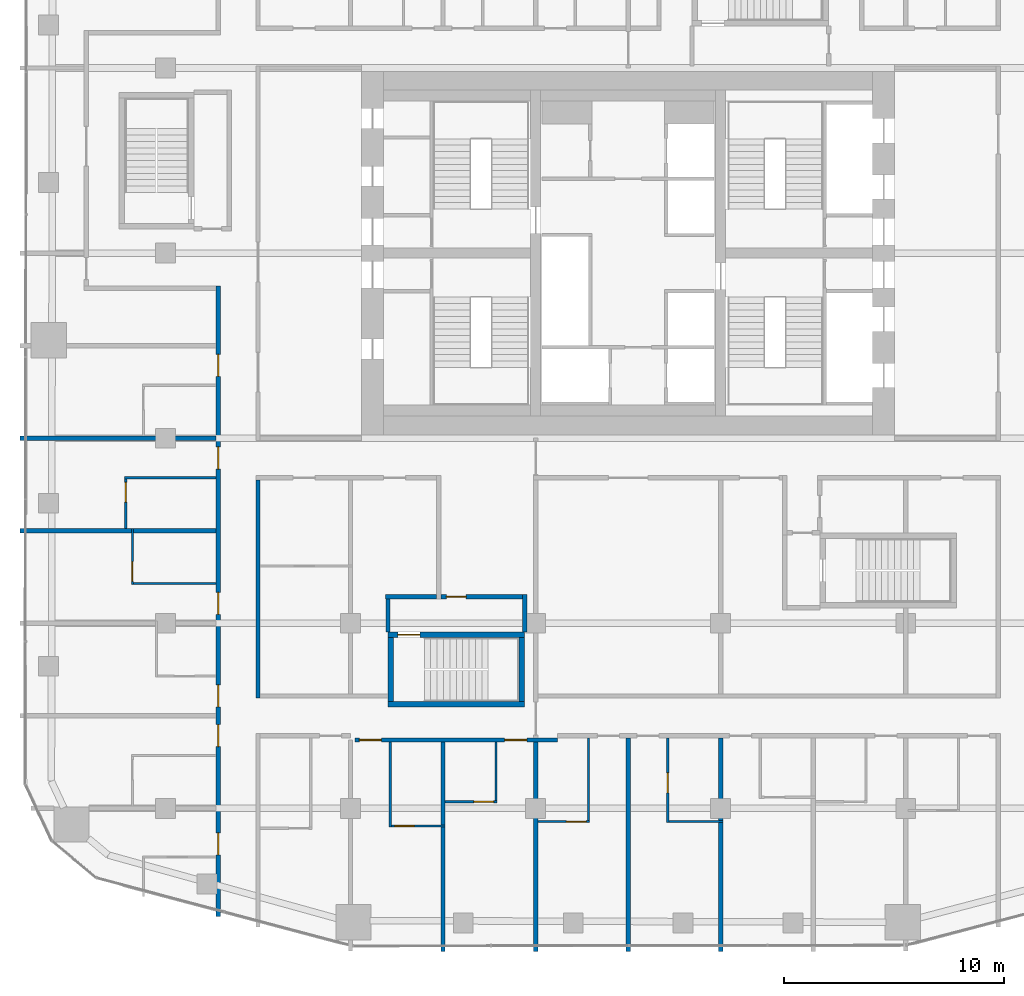
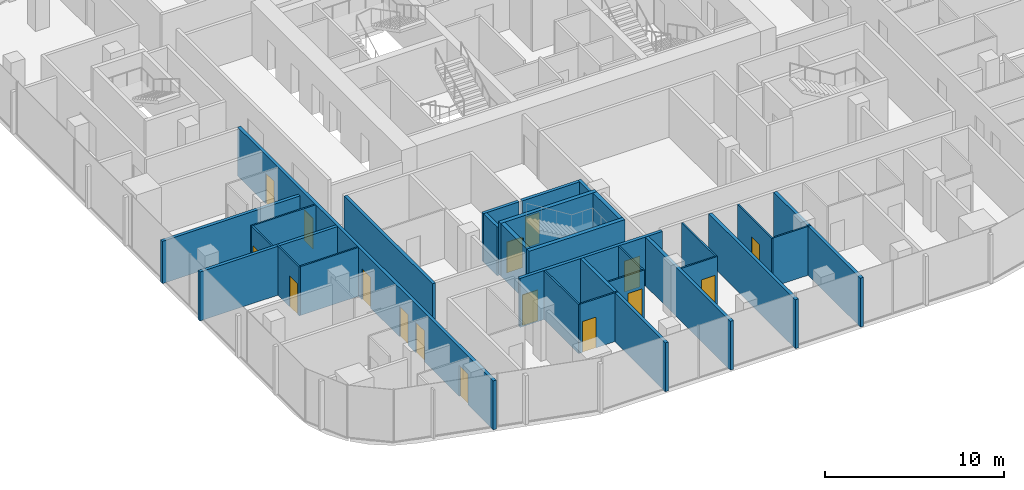
# One storey, part 14 of 23: 29 walls, 16 doors, 16 openings.
"""IFC4 building model written with IfcOpenShell, lengths in metres."""

from ifc_helpers import new_model, si_unit, direction, frame, frame_2d, origin, place, context, subcontext, project, spatial, rectangle, extrude, material, layer, layer_set, type_object, element, fill, save


model = new_model("IFC4")

# Units and contexts
model_context = context("Model", 3, precision=1e-05, world=origin(), true_north=direction((0.0, 1.0)))
body_context = subcontext(model_context, "Body", "Model", "MODEL_VIEW")
ifc_project = project(units=[si_unit("LENGTHUNIT", "METRE"), si_unit("AREAUNIT", "SQUARE_METRE"), si_unit("VOLUMEUNIT", "CUBIC_METRE"), si_unit("PLANEANGLEUNIT", "RADIAN"), si_unit("MASSUNIT", "GRAM", prefix="KILO")], contexts=[model_context])

# Site, building, storey
site_placement = place(None, origin())
site = spatial("IfcSite", under=ifc_project, at=site_placement, CompositionType="ELEMENT")
building_placement = place(site_placement, origin())
building = spatial("IfcBuilding", under=site, at=building_placement, Name="Marenta Gate Hotel Tower", CompositionType="ELEMENT")
storey_placement = place(building_placement, frame((0.0, 0.0, 104.89990234375)))
storey = spatial("IfcBuildingStorey", under=building, at=storey_placement, Name="L22", CompositionType="ELEMENT", Elevation=104.89990234375)

# Walls
ifc_material_1 = material(Name="Concrete blockwork", Category="masonry")
ifc_layer_1 = layer(ifc_material_1, 0.199951171875)
ifc_layer_set_1 = layer_set([ifc_layer_1], Name="Concrete blockwork")
wall_type_1 = type_object("IfcWallType", Name="Compartment wall 200 REI 180", PredefinedType="PARTITIONING", material=ifc_layer_set_1)
wall_1_placement = place(storey_placement, frame((-4.199951171875, -23.300048828125, 0.0), z_axis=(0.0, 0.0, 1.0), x_axis=(0.0, 1.0, 0.0)))
element("IfcWall", 1, at=wall_1_placement, inside=storey, type_object=wall_type_1, Name="L22-PTN-W078", PredefinedType="PARTITIONING", context=body_context, shape_type="SweptSolid", body=[
    extrude(rectangle(XDim=9.5, YDim=0.199951171875, at=frame_2d((4.75, 0.0))), origin(), (0.0, 0.0, 1.0), 3.340087890625),
])
ifc_material_2 = material(Name="Concrete C40", Category="concrete")
ifc_layer_2 = layer(ifc_material_2, 0.25)
ifc_layer_set_2 = layer_set([ifc_layer_2], Name="Concrete C40")
wall_type_2 = type_object("IfcWallType", Name="Remote stair enclosure wall 250 REI 180", PredefinedType="SHEAR", material=ifc_layer_set_2)
wall_2_placement = place(storey_placement, frame((-10.89990234375, -12.074951171875, 0.10009765625), z_axis=(0.0, 0.0, 1.0), x_axis=(1.0, 0.0, 0.0)))
element("IfcWall", 2, at=wall_2_placement, inside=storey, type_object=wall_type_2, Name="L22-RS-Z2-1-W1", PredefinedType="SHEAR", context=body_context, shape_type="SweptSolid", body=[
    extrude(rectangle(XDim=6.199951171875, YDim=0.25, at=frame_2d((3.10009765625, 0.0))), origin(), (0.0, 0.0, 1.0), 3.60009765625),
])

# Wall, opening, door
wall_3_placement = place(storey_placement, frame((-10.89990234375, -8.925048828125, 0.10009765625), z_axis=(0.0, 0.0, 1.0), x_axis=(1.0, 0.0, 0.0)))
wall_3 = element("IfcWall", 3, at=wall_3_placement, inside=storey, type_object=wall_type_2, Name="L22-RS-Z2-1-W2", PredefinedType="SHEAR", context=body_context, shape_type="SweptSolid", body=[
    extrude(rectangle(XDim=6.199951171875, YDim=0.25, at=frame_2d((3.10009765625, 0.0))), origin(), (0.0, 0.0, 1.0), 3.60009765625),
])
opening_1_placement = place(wall_3_placement, frame((0.449951171875, 0.0, 0.0)))
opening_1 = element("IfcOpeningElement", 4, at=opening_1_placement, cuts=wall_3, Name="Opening VD", PredefinedType="OPENING", context=body_context, shape_type="SweptSolid", body=[
    extrude(rectangle(XDim=1.0, YDim=2.10009765625, at=frame_2d((0.5, 1.050048828125))), frame((0.0, 0.125, 0.0), z_axis=(0.0, -1.0, 0.0), x_axis=(1.0, 0.0, 0.0)), (0.0, 0.0, 1.0), 0.25),
])
ifc_material_3 = material(Name="Steel", Category="steel")
door_type_1 = type_object("IfcDoorType", Name="Stair vestibule door 1000x2100 FD60", OperationType="SINGLE_SWING_LEFT", PredefinedType="DOOR", material=ifc_material_3)
door_1_placement = place(opening_1_placement, origin())
door_1 = element("IfcDoor", 5, at=door_1_placement, inside=storey, type_object=door_type_1, Name="VD", OperationType="SINGLE_SWING_LEFT", OverallHeight=2.10009765625, OverallWidth=1.0, PredefinedType="DOOR", context=body_context, shape_type="SweptSolid", body=[
    extrude(rectangle(XDim=1.0, YDim=2.10009765625, at=frame_2d((0.5, 1.050048828125))), frame((0.0, 0.02490234375, 0.0), z_axis=(0.0, -1.0, 0.0), x_axis=(1.0, 0.0, 0.0)), (0.0, 0.0, 1.0), 0.050048828125),
])
fill(opening_1, door_1)

# Walls
for number, where, z_axis, x_axis, name in (
    (6, (-10.77490234375, -11.949951171875, 0.10009765625), (0.0, 0.0, 1.0), (0.0, 1.0, 0.0), "L22-RS-Z2-1-W3"),
    (7, (-4.824951171875, -11.949951171875, 0.10009765625), (0.0, 0.0, 1.0), (0.0, 1.0, 0.0), "L22-RS-Z2-1-W4"),
):
    element("IfcWall", number, at=place(storey_placement, frame(where, z_axis=z_axis, x_axis=x_axis)), inside=storey, type_object=wall_type_2, Name=name, PredefinedType="SHEAR", context=body_context, shape_type="SweptSolid", body=[
        extrude(rectangle(XDim=2.89990234375, YDim=0.25, at=frame_2d((1.449951171875, 0.0))), origin(), (0.0, 0.0, 1.0), 3.60009765625),
    ])

# Wall, openings, doors
ifc_material_4 = material(Name="Gypsum board on steel stud", Category="steel")
ifc_layer_3 = layer(ifc_material_4, 0.199951171875)
ifc_layer_set_3 = layer_set([ifc_layer_3], Name="Gypsum board on steel stud")
wall_type_3 = type_object("IfcWallType", Name="Room corridor wall 200 EI 60", PredefinedType="PARTITIONING", material=ifc_layer_set_3)
wall_4_placement = place(storey_placement, frame((-12.39990234375, -13.699951171875, 0.0), z_axis=(0.0, 0.0, 1.0), x_axis=(1.0, 0.0, 0.0)))
wall_4 = element("IfcWall", 8, at=wall_4_placement, inside=storey, type_object=wall_type_3, Name="L22-PTN-W028", PredefinedType="PARTITIONING", context=body_context, shape_type="SweptSolid", body=[
    extrude(rectangle(XDim=9.199951171875, YDim=0.199951171875, at=frame_2d((4.60009765625, 0.0))), origin(), (0.0, 0.0, 1.0), 3.340087890625),
])
opening_2_placement = place(wall_4_placement, frame((0.199951171875, 0.0, 0.0)))
opening_2 = element("IfcOpeningElement", 9, at=opening_2_placement, cuts=wall_4, Name="Opening G08-39", PredefinedType="OPENING", context=body_context, shape_type="SweptSolid", body=[
    extrude(rectangle(XDim=1.0, YDim=2.10009765625, at=frame_2d((0.5, 1.050048828125))), frame((0.0, 0.10009765625, 0.0), z_axis=(0.0, -1.0, 0.0), x_axis=(1.0, 0.0, 0.0)), (0.0, 0.0, 1.0), 0.199951171875),
])
opening_3_placement = place(wall_4_placement, frame((6.800048828125, 0.0, 0.0)))
opening_3 = element("IfcOpeningElement", 10, at=opening_3_placement, cuts=wall_4, Name="Opening G08-41", PredefinedType="OPENING", context=body_context, shape_type="SweptSolid", body=[
    extrude(rectangle(XDim=1.0, YDim=2.10009765625, at=frame_2d((0.5, 1.050048828125))), frame((0.0, 0.10009765625, 0.0), z_axis=(0.0, -1.0, 0.0), x_axis=(1.0, 0.0, 0.0)), (0.0, 0.0, 1.0), 0.199951171875),
])
ifc_material_5 = material(Name="Timber door leaf", Category="wood")
door_type_2 = type_object("IfcDoorType", Name="Guest room door 1000x2100 EI 30", OperationType="NOTDEFINED", PredefinedType="DOOR", material=ifc_material_5)
door_2_placement = place(opening_2_placement, origin())
door_2 = element("IfcDoor", 11, at=door_2_placement, inside=storey, type_object=door_type_2, Name="L22-PD-D039", OperationType="SINGLE_SWING_RIGHT", OverallHeight=2.10009765625, OverallWidth=1.0, PredefinedType="DOOR", context=body_context, shape_type="SweptSolid", body=[
    extrude(rectangle(XDim=1.0, YDim=2.10009765625, at=frame_2d((0.5, 1.050048828125))), frame((0.0, 0.02490234375, 0.0), z_axis=(0.0, -1.0, 0.0), x_axis=(1.0, 0.0, 0.0)), (0.0, 0.0, 1.0), 0.050048828125),
])
fill(opening_2, door_2)
door_3_placement = place(opening_3_placement, origin())
door_3 = element("IfcDoor", 12, at=door_3_placement, inside=storey, type_object=door_type_2, Name="L22-PD-D041", OperationType="SINGLE_SWING_LEFT", OverallHeight=2.10009765625, OverallWidth=1.0, PredefinedType="DOOR", context=body_context, shape_type="SweptSolid", body=[
    extrude(rectangle(XDim=1.0, YDim=2.10009765625, at=frame_2d((0.5, 1.050048828125))), frame((0.0, 0.02490234375, 0.0), z_axis=(0.0, -1.0, 0.0), x_axis=(1.0, 0.0, 0.0)), (0.0, 0.0, 1.0), 0.050048828125),
])
fill(opening_3, door_3)

# Wall
wall_5_placement = place(storey_placement, frame((-16.800048828125, -11.800048828125, 0.0), z_axis=(0.0, 0.0, 1.0), x_axis=(0.0, 1.0, 0.0)))
element("IfcWall", 13, at=wall_5_placement, inside=storey, type_object=wall_type_3, Name="L22-PTN-W104", PredefinedType="PARTITIONING", context=body_context, shape_type="SweptSolid", body=[
    extrude(rectangle(XDim=9.900146484375, YDim=0.199951171875, at=frame_2d((4.9501953125, 0.0))), origin(), (0.0, 0.0, 1.0), 3.340087890625),
])

# Wall, openings, doors
wall_6_placement = place(storey_placement, frame((-18.60009765625, -21.7080078125, 0.0), z_axis=(0.0, 0.0, 1.0), x_axis=(0.0, 1.0, 0.0)))
wall_6 = element("IfcWall", 14, at=wall_6_placement, inside=storey, type_object=wall_type_3, Name="L22-PTN-W110", PredefinedType="PARTITIONING", context=body_context, shape_type="SweptSolid", body=[
    extrude(rectangle(XDim=28.60791015625, YDim=0.199951171875, at=frame_2d((14.303955078125, 0.0))), origin(), (0.0, 0.0, 1.0), 3.340087890625),
])
opening_4_placement = place(wall_6_placement, frame((2.800048828125, 0.0, 0.0)))
opening_4 = element("IfcOpeningElement", 15, at=opening_4_placement, cuts=wall_6, Name="Opening G08-53", PredefinedType="OPENING", context=body_context, shape_type="SweptSolid", body=[
    extrude(rectangle(XDim=1.0, YDim=2.10009765625, at=frame_2d((0.5, 1.050048828125))), frame((0.0, 0.10009765625, 0.0), z_axis=(0.0, -1.0, 0.0), x_axis=(1.0, 0.0, 0.0)), (0.0, 0.0, 1.0), 0.199951171875),
])
opening_5_placement = place(wall_6_placement, frame((7.7080078125, 0.0, 0.0)))
opening_5 = element("IfcOpeningElement", 16, at=opening_5_placement, cuts=wall_6, Name="Opening G08-55", PredefinedType="OPENING", context=body_context, shape_type="SweptSolid", body=[
    extrude(rectangle(XDim=1.0, YDim=2.10009765625, at=frame_2d((0.5, 1.050048828125))), frame((0.0, 0.10009765625, 0.0), z_axis=(0.0, -1.0, 0.0), x_axis=(1.0, 0.0, 0.0)), (0.0, 0.0, 1.0), 0.199951171875),
])
opening_6_placement = place(wall_6_placement, frame((9.508056640625, 0.0, 0.0)))
opening_6 = element("IfcOpeningElement", 17, at=opening_6_placement, cuts=wall_6, Name="Opening G08-57", PredefinedType="OPENING", context=body_context, shape_type="SweptSolid", body=[
    extrude(rectangle(XDim=1.0, YDim=2.10009765625, at=frame_2d((0.5, 1.050048828125))), frame((0.0, 0.10009765625, 0.0), z_axis=(0.0, -1.0, 0.0), x_axis=(1.0, 0.0, 0.0)), (0.0, 0.0, 1.0), 0.199951171875),
])
opening_7_placement = place(wall_6_placement, frame((13.7080078125, 0.0, 0.0)))
opening_7 = element("IfcOpeningElement", 18, at=opening_7_placement, cuts=wall_6, Name="Opening G08-59", PredefinedType="OPENING", context=body_context, shape_type="SweptSolid", body=[
    extrude(rectangle(XDim=1.0, YDim=2.10009765625, at=frame_2d((0.5, 1.050048828125))), frame((0.0, 0.10009765625, 0.0), z_axis=(0.0, -1.0, 0.0), x_axis=(1.0, 0.0, 0.0)), (0.0, 0.0, 1.0), 0.199951171875),
])
opening_8_placement = place(wall_6_placement, frame((20.30810546875, 0.0, 0.0)))
opening_8 = element("IfcOpeningElement", 19, at=opening_8_placement, cuts=wall_6, Name="Opening G08-61", PredefinedType="OPENING", context=body_context, shape_type="SweptSolid", body=[
    extrude(rectangle(XDim=1.0, YDim=2.10009765625, at=frame_2d((0.5, 1.050048828125))), frame((0.0, 0.10009765625, 0.0), z_axis=(0.0, -1.0, 0.0), x_axis=(1.0, 0.0, 0.0)), (0.0, 0.0, 1.0), 0.199951171875),
])
opening_9_placement = place(wall_6_placement, frame((24.508056640625, 0.0, 0.0)))
opening_9 = element("IfcOpeningElement", 20, at=opening_9_placement, cuts=wall_6, Name="Opening G08-63", PredefinedType="OPENING", context=body_context, shape_type="SweptSolid", body=[
    extrude(rectangle(XDim=1.0, YDim=2.10009765625, at=frame_2d((0.5, 1.050048828125))), frame((0.0, 0.10009765625, 0.0), z_axis=(0.0, -1.0, 0.0), x_axis=(1.0, 0.0, 0.0)), (0.0, 0.0, 1.0), 0.199951171875),
])
door_4_placement = place(opening_4_placement, origin())
door_4 = element("IfcDoor", 21, at=door_4_placement, inside=storey, type_object=door_type_2, Name="L22-PD-D053", OperationType="SINGLE_SWING_LEFT", OverallHeight=2.10009765625, OverallWidth=1.0, PredefinedType="DOOR", context=body_context, shape_type="SweptSolid", body=[
    extrude(rectangle(XDim=1.0, YDim=2.10009765625, at=frame_2d((0.5, 1.050048828125))), frame((0.0, 0.02490234375, 0.0), z_axis=(0.0, -1.0, 0.0), x_axis=(1.0, 0.0, 0.0)), (0.0, 0.0, 1.0), 0.050048828125),
])
fill(opening_4, door_4)
door_5_placement = place(opening_5_placement, origin())
door_5 = element("IfcDoor", 22, at=door_5_placement, inside=storey, type_object=door_type_2, Name="L22-PD-D055", OperationType="SINGLE_SWING_RIGHT", OverallHeight=2.10009765625, OverallWidth=1.0, PredefinedType="DOOR", context=body_context, shape_type="SweptSolid", body=[
    extrude(rectangle(XDim=1.0, YDim=2.10009765625, at=frame_2d((0.5, 1.050048828125))), frame((0.0, 0.02490234375, 0.0), z_axis=(0.0, -1.0, 0.0), x_axis=(1.0, 0.0, 0.0)), (0.0, 0.0, 1.0), 0.050048828125),
])
fill(opening_5, door_5)
door_6_placement = place(opening_6_placement, origin())
door_6 = element("IfcDoor", 23, at=door_6_placement, inside=storey, type_object=door_type_2, Name="L22-PD-D057", OperationType="SINGLE_SWING_RIGHT", OverallHeight=2.10009765625, OverallWidth=1.0, PredefinedType="DOOR", context=body_context, shape_type="SweptSolid", body=[
    extrude(rectangle(XDim=1.0, YDim=2.10009765625, at=frame_2d((0.5, 1.050048828125))), frame((0.0, 0.02490234375, 0.0), z_axis=(0.0, -1.0, 0.0), x_axis=(1.0, 0.0, 0.0)), (0.0, 0.0, 1.0), 0.050048828125),
])
fill(opening_6, door_6)
door_7_placement = place(opening_7_placement, origin())
door_7 = element("IfcDoor", 24, at=door_7_placement, inside=storey, type_object=door_type_2, Name="L22-PD-D059", OperationType="SINGLE_SWING_RIGHT", OverallHeight=2.10009765625, OverallWidth=1.0, PredefinedType="DOOR", context=body_context, shape_type="SweptSolid", body=[
    extrude(rectangle(XDim=1.0, YDim=2.10009765625, at=frame_2d((0.5, 1.050048828125))), frame((0.0, 0.02490234375, 0.0), z_axis=(0.0, -1.0, 0.0), x_axis=(1.0, 0.0, 0.0)), (0.0, 0.0, 1.0), 0.050048828125),
])
fill(opening_7, door_7)
door_8_placement = place(opening_8_placement, origin())
door_8 = element("IfcDoor", 25, at=door_8_placement, inside=storey, type_object=door_type_2, Name="L22-PD-D061", OperationType="SINGLE_SWING_RIGHT", OverallHeight=2.10009765625, OverallWidth=1.0, PredefinedType="DOOR", context=body_context, shape_type="SweptSolid", body=[
    extrude(rectangle(XDim=1.0, YDim=2.10009765625, at=frame_2d((0.5, 1.050048828125))), frame((0.0, 0.02490234375, 0.0), z_axis=(0.0, -1.0, 0.0), x_axis=(1.0, 0.0, 0.0)), (0.0, 0.0, 1.0), 0.050048828125),
])
fill(opening_8, door_8)
door_9_placement = place(opening_9_placement, origin())
door_9 = element("IfcDoor", 26, at=door_9_placement, inside=storey, type_object=door_type_2, Name="L22-PD-D063", OperationType="SINGLE_SWING_RIGHT", OverallHeight=2.10009765625, OverallWidth=1.0, PredefinedType="DOOR", context=body_context, shape_type="SweptSolid", body=[
    extrude(rectangle(XDim=1.0, YDim=2.10009765625, at=frame_2d((0.5, 1.050048828125))), frame((0.0, 0.02490234375, 0.0), z_axis=(0.0, -1.0, 0.0), x_axis=(1.0, 0.0, 0.0)), (0.0, 0.0, 1.0), 0.050048828125),
])
fill(opening_9, door_9)

# Wall, opening, door
ifc_material_6 = material(Name="Concrete blockwork", Category="masonry")
ifc_layer_4 = layer(ifc_material_6, 0.199951171875)
ifc_layer_set_4 = layer_set([ifc_layer_4], Name="Concrete blockwork")
wall_type_4 = type_object("IfcWallType", Name="Room corridor wall 200 REI 180", PredefinedType="PARTITIONING", material=ifc_layer_set_4)
wall_7_placement = place(storey_placement, frame((-8.5, -7.199951171875, 0.0), z_axis=(0.0, 0.0, 1.0), x_axis=(1.0, 0.0, 0.0)))
wall_7 = element("IfcWall", 27, at=wall_7_placement, inside=storey, type_object=wall_type_4, Name="L22-PTN-W050", PredefinedType="PARTITIONING", context=body_context, shape_type="SweptSolid", body=[
    extrude(rectangle(XDim=3.699951171875, YDim=0.199951171875, at=frame_2d((1.85009765625, 0.0))), origin(), (0.0, 0.0, 1.0), 3.340087890625),
])
opening_10_placement = place(wall_7_placement, frame((0.25, 0.0, 0.0)))
opening_10 = element("IfcOpeningElement", 28, at=opening_10_placement, cuts=wall_7, Name="Opening G08-67", PredefinedType="OPENING", context=body_context, shape_type="SweptSolid", body=[
    extrude(rectangle(XDim=0.89990234375, YDim=2.10009765625, at=frame_2d((0.449951171875, 1.050048828125))), frame((0.0, 0.10009765625, 0.0), z_axis=(0.0, -1.0, 0.0), x_axis=(1.0, 0.0, 0.0)), (0.0, 0.0, 1.0), 0.199951171875),
])
ifc_material_7 = material(Name="Hollow steel door set", Category="steel")
door_type_3 = type_object("IfcDoorType", Name="Stair vestibule door 900x2100 EI 60", OperationType="NOTDEFINED", PredefinedType="DOOR", material=ifc_material_7)
door_10_placement = place(opening_10_placement, origin())
door_10 = element("IfcDoor", 29, at=door_10_placement, inside=storey, type_object=door_type_3, Name="L22-PD-D067", OperationType="SINGLE_SWING_RIGHT", OverallHeight=2.10009765625, OverallWidth=0.89990234375, PredefinedType="DOOR", context=body_context, shape_type="SweptSolid", body=[
    extrude(rectangle(XDim=0.89990234375, YDim=2.10009765625, at=frame_2d((0.449951171875, 1.050048828125))), frame((0.0, 0.02490234375, 0.0), z_axis=(0.0, -1.0, 0.0), x_axis=(1.0, 0.0, 0.0)), (0.0, 0.0, 1.0), 0.050048828125),
])
fill(opening_10, door_10)

# Wall
wall_8_placement = place(storey_placement, frame((-4.699951171875, -8.800048828125, 0.0), z_axis=(0.0, 0.0, 1.0), x_axis=(0.0, 1.0, 0.0)))
element("IfcWall", 30, at=wall_8_placement, inside=storey, type_object=wall_type_4, Name="L22-PTN-W082", PredefinedType="PARTITIONING", context=body_context, shape_type="SweptSolid", body=[
    extrude(rectangle(XDim=1.699951171875, YDim=0.199951171875, at=frame_2d((0.85009765625, 0.0))), origin(), (0.0, 0.0, 1.0), 3.340087890625),
])

# Wall, opening, door
ifc_material_8 = material(Name="Gypsum board on steel stud", Category="steel")
ifc_layer_5 = layer(ifc_material_8, 0.10009765625)
ifc_layer_set_5 = layer_set([ifc_layer_5], Name="Gypsum board on steel stud")
wall_type_5 = type_object("IfcWallType", Name="Room partition 100", PredefinedType="PARTITIONING", material=ifc_layer_set_5)
wall_9_placement = place(storey_placement, frame((-10.75, -17.60009765625, 0.0), z_axis=(0.0, 0.0, 1.0), x_axis=(1.0, 0.0, 0.0)))
wall_9 = element("IfcWall", 31, at=wall_9_placement, inside=storey, type_object=wall_type_5, Name="L22-PTN-W012", PredefinedType="PARTITIONING", context=body_context, shape_type="SweptSolid", body=[
    extrude(rectangle(XDim=2.449951171875, YDim=0.10009765625, at=frame_2d((1.22509765625, 0.0))), origin(), (0.0, 0.0, 1.0), 3.340087890625),
])
opening_11_placement = place(wall_9_placement, frame((0.14990234375, 0.0, 0.0)))
opening_11 = element("IfcOpeningElement", 32, at=opening_11_placement, cuts=wall_9, Name="Opening G08-40", PredefinedType="OPENING", context=body_context, shape_type="SweptSolid", body=[
    extrude(rectangle(XDim=0.89990234375, YDim=2.10009765625, at=frame_2d((0.449951171875, 1.050048828125))), frame((0.0, 0.050048828125, 0.0), z_axis=(0.0, -1.0, 0.0), x_axis=(1.0, 0.0, 0.0)), (0.0, 0.0, 1.0), 0.10009765625),
])
ifc_material_9 = material(Name="Timber door leaf", Category="wood")
door_type_4 = type_object("IfcDoorType", Name="Guest bathroom door 900x2100", OperationType="NOTDEFINED", PredefinedType="DOOR", material=ifc_material_9)
door_11_placement = place(opening_11_placement, origin())
door_11 = element("IfcDoor", 33, at=door_11_placement, inside=storey, type_object=door_type_4, Name="L22-PD-D040", OperationType="SINGLE_SWING_LEFT", OverallHeight=2.10009765625, OverallWidth=0.89990234375, PredefinedType="DOOR", context=body_context, shape_type="SweptSolid", body=[
    extrude(rectangle(XDim=0.89990234375, YDim=2.10009765625, at=frame_2d((0.449951171875, 1.050048828125))), frame((0.0, 0.02490234375, 0.0), z_axis=(0.0, -1.0, 0.0), x_axis=(1.0, 0.0, 0.0)), (0.0, 0.0, 1.0), 0.050048828125),
])
fill(opening_11, door_11)

wall_10_placement = place(storey_placement, frame((-4.10009765625, -17.39990234375, 0.0), z_axis=(0.0, 0.0, 1.0), x_axis=(1.0, 0.0, 0.0)))
wall_10 = element("IfcWall", 34, at=wall_10_placement, inside=storey, type_object=wall_type_5, Name="L22-PTN-W013", PredefinedType="PARTITIONING", context=body_context, shape_type="SweptSolid", body=[
    extrude(rectangle(XDim=2.35009765625, YDim=0.10009765625, at=frame_2d((1.175048828125, 0.0))), origin(), (0.0, 0.0, 1.0), 3.340087890625),
])
opening_12_placement = place(wall_10_placement, frame((1.300048828125, 0.0, 0.0)))
opening_12 = element("IfcOpeningElement", 35, at=opening_12_placement, cuts=wall_10, Name="Opening G08-44", PredefinedType="OPENING", context=body_context, shape_type="SweptSolid", body=[
    extrude(rectangle(XDim=0.89990234375, YDim=2.10009765625, at=frame_2d((0.449951171875, 1.050048828125))), frame((0.0, 0.050048828125, 0.0), z_axis=(0.0, -1.0, 0.0), x_axis=(1.0, 0.0, 0.0)), (0.0, 0.0, 1.0), 0.10009765625),
])
door_12_placement = place(opening_12_placement, origin())
door_12 = element("IfcDoor", 36, at=door_12_placement, inside=storey, type_object=door_type_4, Name="L22-PD-D044", OperationType="SINGLE_SWING_RIGHT", OverallHeight=2.10009765625, OverallWidth=0.89990234375, PredefinedType="DOOR", context=body_context, shape_type="SweptSolid", body=[
    extrude(rectangle(XDim=0.89990234375, YDim=2.10009765625, at=frame_2d((0.449951171875, 1.050048828125))), frame((0.0, 0.02490234375, 0.0), z_axis=(0.0, -1.0, 0.0), x_axis=(1.0, 0.0, 0.0)), (0.0, 0.0, 1.0), 0.050048828125),
])
fill(opening_12, door_12)

# Wall
wall_11_placement = place(storey_placement, frame((1.85009765625, -17.39990234375, 0.0), z_axis=(0.0, 0.0, 1.0), x_axis=(1.0, 0.0, 0.0)))
element("IfcWall", 37, at=wall_11_placement, inside=storey, type_object=wall_type_5, Name="L22-PTN-W014", PredefinedType="PARTITIONING", context=body_context, shape_type="SweptSolid", body=[
    extrude(rectangle(XDim=2.449951171875, YDim=0.10009765625, at=frame_2d((1.22509765625, 0.0))), origin(), (0.0, 0.0, 1.0), 3.340087890625),
])

# Wall, opening, door
wall_12_placement = place(storey_placement, frame((-8.300048828125, -16.5, 0.0), z_axis=(0.0, 0.0, 1.0), x_axis=(1.0, 0.0, 0.0)))
wall_12 = element("IfcWall", 38, at=wall_12_placement, inside=storey, type_object=wall_type_5, Name="L22-PTN-W021", PredefinedType="PARTITIONING", context=body_context, shape_type="SweptSolid", body=[
    extrude(rectangle(XDim=2.35009765625, YDim=0.10009765625, at=frame_2d((1.175048828125, 0.0))), origin(), (0.0, 0.0, 1.0), 3.340087890625),
])
opening_13_placement = place(wall_12_placement, frame((1.300048828125, 0.0, 0.0)))
opening_13 = element("IfcOpeningElement", 39, at=opening_13_placement, cuts=wall_12, Name="Opening G08-42", PredefinedType="OPENING", context=body_context, shape_type="SweptSolid", body=[
    extrude(rectangle(XDim=0.89990234375, YDim=2.10009765625, at=frame_2d((0.449951171875, 1.050048828125))), frame((0.0, 0.050048828125, 0.0), z_axis=(0.0, -1.0, 0.0), x_axis=(1.0, 0.0, 0.0)), (0.0, 0.0, 1.0), 0.10009765625),
])
door_13_placement = place(opening_13_placement, origin())
door_13 = element("IfcDoor", 40, at=door_13_placement, inside=storey, type_object=door_type_4, Name="L22-PD-D042", OperationType="SINGLE_SWING_RIGHT", OverallHeight=2.10009765625, OverallWidth=0.89990234375, PredefinedType="DOOR", context=body_context, shape_type="SweptSolid", body=[
    extrude(rectangle(XDim=0.89990234375, YDim=2.10009765625, at=frame_2d((0.449951171875, 1.050048828125))), frame((0.0, 0.02490234375, 0.0), z_axis=(0.0, -1.0, 0.0), x_axis=(1.0, 0.0, 0.0)), (0.0, 0.0, 1.0), 0.050048828125),
])
fill(opening_13, door_13)

# Wall
wall_13_placement = place(storey_placement, frame((-22.449951171875, -6.60009765625, 0.0), z_axis=(0.0, 0.0, 1.0), x_axis=(1.0, 0.0, 0.0)))
element("IfcWall", 41, at=wall_13_placement, inside=storey, type_object=wall_type_5, Name="L22-PTN-W053", PredefinedType="PARTITIONING", context=body_context, shape_type="SweptSolid", body=[
    extrude(rectangle(XDim=3.75, YDim=0.10009765625, at=frame_2d((1.875, 0.0))), origin(), (0.0, 0.0, 1.0), 3.340087890625),
])

# Wall, opening, door
wall_14_placement = place(storey_placement, frame((1.800048828125, -17.449951171875, 0.0), z_axis=(0.0, 0.0, 1.0), x_axis=(0.0, 1.0, 0.0)))
wall_14 = element("IfcWall", 42, at=wall_14_placement, inside=storey, type_object=wall_type_5, Name="L22-PTN-W064", PredefinedType="PARTITIONING", context=body_context, shape_type="SweptSolid", body=[
    extrude(rectangle(XDim=3.849853515625, YDim=0.10009765625, at=frame_2d((1.9248046875, 0.0))), origin(), (0.0, 0.0, 1.0), 3.340087890625),
])
opening_14_placement = place(wall_14_placement, frame((1.35498046875, 0.0, 0.0)))
opening_14 = element("IfcOpeningElement", 43, at=opening_14_placement, cuts=wall_14, Name="Opening G08-46", PredefinedType="OPENING", context=body_context, shape_type="SweptSolid", body=[
    extrude(rectangle(XDim=0.89990234375, YDim=2.10009765625, at=frame_2d((0.449951171875, 1.050048828125))), frame((0.0, 0.050048828125, 0.0), z_axis=(0.0, -1.0, 0.0), x_axis=(1.0, 0.0, 0.0)), (0.0, 0.0, 1.0), 0.10009765625),
])
door_14_placement = place(opening_14_placement, origin())
door_14 = element("IfcDoor", 44, at=door_14_placement, inside=storey, type_object=door_type_4, Name="L22-PD-D046", OperationType="SINGLE_SWING_RIGHT", OverallHeight=2.10009765625, OverallWidth=0.89990234375, PredefinedType="DOOR", context=body_context, shape_type="SweptSolid", body=[
    extrude(rectangle(XDim=0.89990234375, YDim=2.10009765625, at=frame_2d((0.449951171875, 1.050048828125))), frame((0.0, 0.02490234375, 0.0), z_axis=(0.0, -1.0, 0.0), x_axis=(1.0, 0.0, 0.0)), (0.0, 0.0, 1.0), 0.050048828125),
])
fill(opening_14, door_14)

# Walls
wall_15_placement = place(storey_placement, frame((-22.85009765625, -1.800048828125, 0.0), z_axis=(0.0, 0.0, 1.0), x_axis=(1.0, 0.0, 0.0)))
element("IfcWall", 45, at=wall_15_placement, inside=storey, type_object=wall_type_5, Name="L22-PTN-W065", PredefinedType="PARTITIONING", context=body_context, shape_type="SweptSolid", body=[
    extrude(rectangle(XDim=4.150146484375, YDim=0.10009765625, at=frame_2d((2.0751953125, 0.0))), origin(), (0.0, 0.0, 1.0), 3.340087890625),
])
wall_16_placement = place(storey_placement, frame((-1.800048828125, -17.35009765625, 0.0), z_axis=(0.0, 0.0, 1.0), x_axis=(0.0, 1.0, 0.0)))
element("IfcWall", 46, at=wall_16_placement, inside=storey, type_object=wall_type_5, Name="L22-PTN-W075", PredefinedType="PARTITIONING", context=body_context, shape_type="SweptSolid", body=[
    extrude(rectangle(XDim=3.75, YDim=0.10009765625, at=frame_2d((1.875, 0.0))), origin(), (0.0, 0.0, 1.0), 3.340087890625),
])
wall_17_placement = place(storey_placement, frame((-6.0, -16.449951171875, 0.0), z_axis=(0.0, 0.0, 1.0), x_axis=(0.0, 1.0, 0.0)))
element("IfcWall", 47, at=wall_17_placement, inside=storey, type_object=wall_type_5, Name="L22-PTN-W083", PredefinedType="PARTITIONING", context=body_context, shape_type="SweptSolid", body=[
    extrude(rectangle(XDim=2.64990234375, YDim=0.10009765625, at=frame_2d((1.324951171875, 0.0))), origin(), (0.0, 0.0, 1.0), 3.340087890625),
])
wall_18_placement = place(storey_placement, frame((-10.800048828125, -17.64990234375, 0.0), z_axis=(0.0, 0.0, 1.0), x_axis=(0.0, 1.0, 0.0)))
element("IfcWall", 48, at=wall_18_placement, inside=storey, type_object=wall_type_5, Name="L22-PTN-W094", PredefinedType="PARTITIONING", context=body_context, shape_type="SweptSolid", body=[
    extrude(rectangle(XDim=3.849853515625, YDim=0.10009765625, at=frame_2d((1.9248046875, 0.0))), origin(), (0.0, 0.0, 1.0), 3.340087890625),
])

# Wall, opening, door
wall_19_placement = place(storey_placement, frame((-22.5, -6.64990234375, 0.0), z_axis=(0.0, 0.0, 1.0), x_axis=(0.0, 1.0, 0.0)))
wall_19 = element("IfcWall", 49, at=wall_19_placement, inside=storey, type_object=wall_type_5, Name="L22-PTN-W123", PredefinedType="PARTITIONING", context=body_context, shape_type="SweptSolid", body=[
    extrude(rectangle(XDim=2.5498046875, YDim=0.10009765625, at=frame_2d((1.27490234375, 0.0))), origin(), (0.0, 0.0, 1.0), 3.340087890625),
])
opening_15_placement = place(wall_19_placement, frame((0.14990234375, 0.0, 0.0)))
opening_15 = element("IfcOpeningElement", 50, at=opening_15_placement, cuts=wall_19, Name="Opening G08-60", PredefinedType="OPENING", context=body_context, shape_type="SweptSolid", body=[
    extrude(rectangle(XDim=0.89990234375, YDim=2.10009765625, at=frame_2d((0.449951171875, 1.050048828125))), frame((0.0, 0.050048828125, 0.0), z_axis=(0.0, -1.0, 0.0), x_axis=(1.0, 0.0, 0.0)), (0.0, 0.0, 1.0), 0.10009765625),
])
door_15_placement = place(opening_15_placement, origin())
door_15 = element("IfcDoor", 51, at=door_15_placement, inside=storey, type_object=door_type_4, Name="L22-PD-D060", OperationType="SINGLE_SWING_RIGHT", OverallHeight=2.10009765625, OverallWidth=0.89990234375, PredefinedType="DOOR", context=body_context, shape_type="SweptSolid", body=[
    extrude(rectangle(XDim=0.89990234375, YDim=2.10009765625, at=frame_2d((0.449951171875, 1.050048828125))), frame((0.0, 0.02490234375, 0.0), z_axis=(0.0, -1.0, 0.0), x_axis=(1.0, 0.0, 0.0)), (0.0, 0.0, 1.0), 0.050048828125),
])
fill(opening_15, door_15)

wall_20_placement = place(storey_placement, frame((-22.800048828125, -4.10009765625, 0.0), z_axis=(0.0, 0.0, 1.0), x_axis=(0.0, 1.0, 0.0)))
wall_20 = element("IfcWall", 52, at=wall_20_placement, inside=storey, type_object=wall_type_5, Name="L22-PTN-W125", PredefinedType="PARTITIONING", context=body_context, shape_type="SweptSolid", body=[
    extrude(rectangle(XDim=2.25, YDim=0.10009765625, at=frame_2d((1.125, 0.0))), origin(), (0.0, 0.0, 1.0), 3.340087890625),
])
opening_16_placement = place(wall_20_placement, frame((1.199951171875, 0.0, 0.0)))
opening_16 = element("IfcOpeningElement", 53, at=opening_16_placement, cuts=wall_20, Name="Opening G08-62", PredefinedType="OPENING", context=body_context, shape_type="SweptSolid", body=[
    extrude(rectangle(XDim=0.89990234375, YDim=2.10009765625, at=frame_2d((0.449951171875, 1.050048828125))), frame((0.0, 0.050048828125, 0.0), z_axis=(0.0, -1.0, 0.0), x_axis=(1.0, 0.0, 0.0)), (0.0, 0.0, 1.0), 0.10009765625),
])
door_16_placement = place(opening_16_placement, origin())
door_16 = element("IfcDoor", 54, at=door_16_placement, inside=storey, type_object=door_type_4, Name="L22-PD-D062", OperationType="SINGLE_SWING_LEFT", OverallHeight=2.10009765625, OverallWidth=0.89990234375, PredefinedType="DOOR", context=body_context, shape_type="SweptSolid", body=[
    extrude(rectangle(XDim=0.89990234375, YDim=2.10009765625, at=frame_2d((0.449951171875, 1.050048828125))), frame((0.0, 0.02490234375, 0.0), z_axis=(0.0, -1.0, 0.0), x_axis=(1.0, 0.0, 0.0)), (0.0, 0.0, 1.0), 0.050048828125),
])
fill(opening_16, door_16)

# Walls
ifc_material_10 = material(Name="Gypsum board on steel stud", Category="steel")
ifc_layer_6 = layer(ifc_material_10, 0.199951171875)
ifc_layer_set_6 = layer_set([ifc_layer_6], Name="Gypsum board on steel stud")
wall_type_6 = type_object("IfcWallType", Name="Room party wall 200 EI 60", PredefinedType="PARTITIONING", material=ifc_layer_set_6)
wall_21_placement = place(storey_placement, frame((4.199951171875, -23.300048828125, 0.0), z_axis=(0.0, 0.0, 1.0), x_axis=(0.0, 1.0, 0.0)))
element("IfcWall", 55, at=wall_21_placement, inside=storey, type_object=wall_type_6, Name="L22-PTN-W058", PredefinedType="PARTITIONING", context=body_context, shape_type="SweptSolid", body=[
    extrude(rectangle(XDim=9.699951171875, YDim=0.199951171875, at=frame_2d((4.85009765625, 0.0))), origin(), (0.0, 0.0, 1.0), 3.340087890625),
])
wall_22_placement = place(storey_placement, frame((-27.60009765625, -4.199951171875, 0.0), z_axis=(0.0, 0.0, 1.0), x_axis=(1.0, 0.0, 0.0)))
element("IfcWall", 56, at=wall_22_placement, inside=storey, type_object=wall_type_6, Name="L22-PTN-W061", PredefinedType="PARTITIONING", context=body_context, shape_type="SweptSolid", body=[
    extrude(rectangle(XDim=8.900146484375, YDim=0.199951171875, at=frame_2d((4.4501953125, 0.0))), origin(), (0.0, 0.0, 1.0), 3.340087890625),
])
wall_23_placement = place(storey_placement, frame((0.0, -23.300048828125, 0.0), z_axis=(0.0, 0.0, 1.0), x_axis=(0.0, 1.0, 0.0)))
element("IfcWall", 57, at=wall_23_placement, inside=storey, type_object=wall_type_6, Name="L22-PTN-W071", PredefinedType="PARTITIONING", context=body_context, shape_type="SweptSolid", body=[
    extrude(rectangle(XDim=9.699951171875, YDim=0.199951171875, at=frame_2d((4.85009765625, 0.0))), origin(), (0.0, 0.0, 1.0), 3.340087890625),
])
wall_24_placement = place(storey_placement, frame((-27.60009765625, 0.0, 0.0), z_axis=(0.0, 0.0, 1.0), x_axis=(1.0, 0.0, 0.0)))
element("IfcWall", 58, at=wall_24_placement, inside=storey, type_object=wall_type_6, Name="L22-PTN-W073", PredefinedType="PARTITIONING", context=body_context, shape_type="SweptSolid", body=[
    extrude(rectangle(XDim=8.900146484375, YDim=0.199951171875, at=frame_2d((4.4501953125, 0.0))), origin(), (0.0, 0.0, 1.0), 2.89013671875),
])
wall_25_placement = place(storey_placement, frame((-8.39990234375, -23.300048828125, 0.0), z_axis=(0.0, 0.0, 1.0), x_axis=(0.0, 1.0, 0.0)))
element("IfcWall", 59, at=wall_25_placement, inside=storey, type_object=wall_type_6, Name="L22-PTN-W086", PredefinedType="PARTITIONING", context=body_context, shape_type="SweptSolid", body=[
    extrude(rectangle(XDim=9.5, YDim=0.199951171875, at=frame_2d((4.75, 0.0))), origin(), (0.0, 0.0, 1.0), 3.340087890625),
])
ifc_material_11 = material(Name="Concrete blockwork", Category="masonry")
ifc_layer_7 = layer(ifc_material_11, 0.199951171875)
ifc_layer_set_7 = layer_set([ifc_layer_7], Name="Concrete blockwork")
wall_type_7 = type_object("IfcWallType", Name="Room party wall 200 REI 180", PredefinedType="PARTITIONING", material=ifc_layer_set_7)
wall_26_placement = place(storey_placement, frame((-11.0, -7.199951171875, 0.0), z_axis=(0.0, 0.0, 1.0), x_axis=(1.0, 0.0, 0.0)))
element("IfcWall", 60, at=wall_26_placement, inside=storey, type_object=wall_type_7, Name="L22-PTN-W049", PredefinedType="PARTITIONING", context=body_context, shape_type="SweptSolid", body=[
    extrude(rectangle(XDim=2.300048828125, YDim=0.199951171875, at=frame_2d((1.14990234375, 0.0))), origin(), (0.0, 0.0, 1.0), 3.340087890625),
])
wall_27_placement = place(storey_placement, frame((-10.89990234375, -8.800048828125, 0.0), z_axis=(0.0, 0.0, 1.0), x_axis=(0.0, 1.0, 0.0)))
element("IfcWall", 61, at=wall_27_placement, inside=storey, type_object=wall_type_7, Name="L22-PTN-W095", PredefinedType="PARTITIONING", context=body_context, shape_type="SweptSolid", body=[
    extrude(rectangle(XDim=1.5, YDim=0.199951171875, at=frame_2d((0.75, 0.0))), origin(), (0.0, 0.0, 1.0), 3.340087890625),
])

save(model, "model.ifc")
